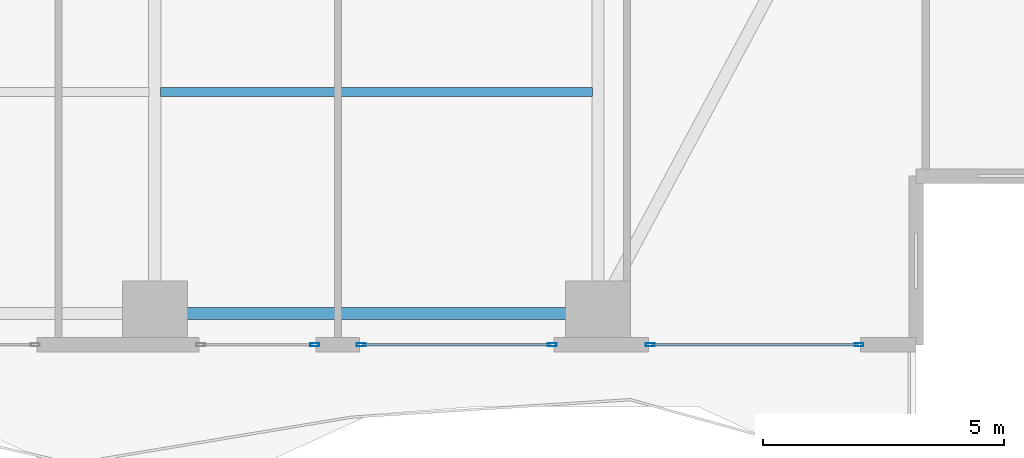
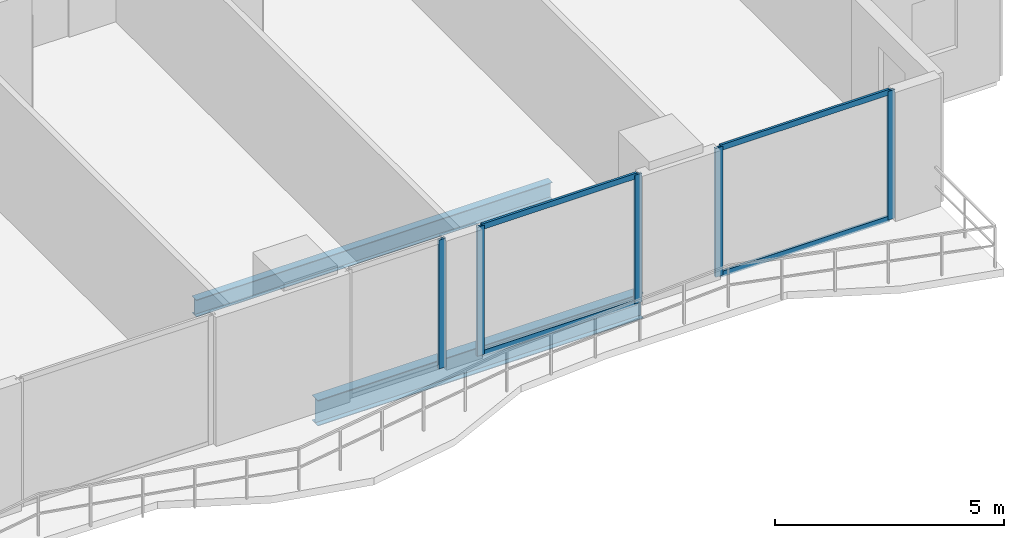
# One storey, part 9 of 29: 9 members, 2 beams, 3 elements without a shape of their own.
"""IFC4 building model written with IfcOpenShell, lengths in metres."""

from ifc_helpers import new_model, si_unit, direction, frame, origin, origin_2d, place, context, subcontext, project, spatial, hollow_rectangle, i_section, extrude, material, layer, layer_set, material_profile, profile_set, type_object, element, aggregate, save


model = new_model("IFC4")

# Units and contexts
model_context = context("Model", 3, precision=1e-05, world=origin(), true_north=direction((0.0, 1.0)))
body_context = subcontext(model_context, "Body", "Model", "MODEL_VIEW")
ifc_project = project(units=[si_unit("LENGTHUNIT", "METRE"), si_unit("AREAUNIT", "SQUARE_METRE"), si_unit("VOLUMEUNIT", "CUBIC_METRE"), si_unit("PLANEANGLEUNIT", "RADIAN"), si_unit("MASSUNIT", "GRAM", prefix="KILO")], contexts=[model_context])

# Site, building, storey
site_placement = place(None, origin())
site = spatial("IfcSite", under=ifc_project, at=site_placement, CompositionType="ELEMENT")
building_placement = place(site_placement, origin())
building = spatial("IfcBuilding", under=site, at=building_placement, Name="Zuhayl Quay Hotel", CompositionType="ELEMENT")
storey_placement = place(building_placement, frame((0.0, 0.0, 150.39990234375)))
storey = spatial("IfcBuildingStorey", under=building, at=storey_placement, Name="L38", CompositionType="ELEMENT", Elevation=150.39990234375)

# Beams
ifc_material_1 = material(Name="Steel ASTM A992 Grade 50", Category="steel")
ifc_material_profile_1 = material_profile(ifc_material_1, i_section(OverallWidth=0.25390625, OverallDepth=0.68310546875, WebThickness=0.012451171875, FlangeThickness=0.018798828125, at=origin_2d()), Name="W27X94")
ifc_profile_set_1 = profile_set([ifc_material_profile_1], Name="Steel ASTM A992 Grade 50")
beam_type_1 = type_object("IfcBeamType", Name="BM_B2_W27X94", PredefinedType="BEAM", material=ifc_profile_set_1)
beam_1_placement = place(storey_placement, frame((5.10009765625, -14.75, -0.5615234375), z_axis=(1.0, 0.0, 0.0), x_axis=(0.0, 1.0, 0.0)))
element("IfcBeam", 1, at=beam_1_placement, inside=storey, type_object=beam_type_1, Name="L38 Floor Beam RG_L38_03", PredefinedType="BEAM", context=body_context, shape_type="SweptSolid", body=[
    extrude(i_section(OverallWidth=0.25390625, OverallDepth=0.68310546875, WebThickness=0.012451171875, FlangeThickness=0.018798828125, at=origin_2d()), origin(), (0.0, 0.0, 1.0), 8.199951171875),
])
ifc_material_profile_2 = material_profile(ifc_material_1, i_section(OverallWidth=0.18994140625, OverallDepth=0.45703125, WebThickness=0.009033203125, FlangeThickness=0.014404296875, at=origin_2d()), Name="W18X50")
ifc_profile_set_2 = profile_set([ifc_material_profile_2], Name="Steel ASTM A992 Grade 50")
beam_type_2 = type_object("IfcBeamType", Name="BM_J2_W18X50", PredefinedType="JOIST", material=ifc_profile_set_2)
beam_2_placement = place(storey_placement, frame((4.718994140625, -10.14990234375, -0.448486328125), z_axis=(1.0, 0.0, 0.0), x_axis=(0.0, 1.0, 0.0)))
element("IfcBeam", 2, at=beam_2_placement, inside=storey, type_object=beam_type_2, Name="L38 Floor Beam FJ_L38_5_3", PredefinedType="JOIST", context=body_context, shape_type="SweptSolid", body=[
    extrude(i_section(OverallWidth=0.18994140625, OverallDepth=0.45703125, WebThickness=0.009033203125, FlangeThickness=0.014404296875, at=origin_2d()), origin(), (0.0, 0.0, 1.0), 8.9619140625),
])

# Curtain wall, members
ifc_material_2 = material(Name="Anodised Aluminium 6063-T6", Category="aluminium")
ifc_layer = layer(ifc_material_2, 0.179931640625, Name="Anodised Aluminium 6063-T6", Category="aluminium")
ifc_layer_set = layer_set([ifc_layer], Name="Anodised Aluminium 6063-T6")
curtain_wall_type = type_object("IfcCurtainWallType", Name="CW_SYS_Z2", PredefinedType="USERDEFINED", material=ifc_layer_set)
curtain_wall_1_placement = place(storey_placement, origin())
curtain_wall_1 = element("IfcCurtainWall", 3, at=curtain_wall_1_placement, inside=storey, type_object=curtain_wall_type, Name="L38 Curtain Wall ENV_L38_S_CW1", ObjectType="UNITISED CURTAIN WALL", PredefinedType="USERDEFINED")
ifc_material_3 = material(Name="Black-anodised aluminium 6063-T6", Category="aluminium")
ifc_material_profile_3 = material_profile(ifc_material_3, hollow_rectangle(XDim=0.06494140625, YDim=0.179931640625, WallThickness=0.00341796875, at=origin_2d()), Name="ALU180X65")
ifc_profile_set_3 = profile_set([ifc_material_profile_3], Name="Black-anodised aluminium 6063-T6")
member_type_1 = type_object("IfcMemberType", Name="MB_CW_MUL_180", PredefinedType="MULLION", material=ifc_profile_set_3)
member_1_placement = place(storey_placement, frame((19.217529296875, -15.39990234375, 0.0), z_axis=(0.0, 0.0, 1.0), x_axis=(0.0, -1.0, 0.0)))
member_1 = element("IfcMember", 4, at=member_1_placement, type_object=member_type_1, Name="CW-Z2 mullion 1", PredefinedType="MULLION", context=body_context, shape_type="SweptSolid", body=[
    extrude(hollow_rectangle(XDim=0.06494140625, YDim=0.179931640625, WallThickness=0.00341796875, at=origin_2d()), origin(), (0.0, 0.0, 1.0), 3.43017578125),
])
member_2_placement = place(storey_placement, frame((14.882568359375, -15.39990234375, 0.0), z_axis=(0.0, 0.0, 1.0), x_axis=(0.0, -1.0, 0.0)))
member_2 = element("IfcMember", 5, at=member_2_placement, type_object=member_type_1, Name="CW-Z2 mullion 2", PredefinedType="MULLION", context=body_context, shape_type="SweptSolid", body=[
    extrude(hollow_rectangle(XDim=0.06494140625, YDim=0.179931640625, WallThickness=0.00341796875, at=origin_2d()), origin(), (0.0, 0.0, 1.0), 3.43017578125),
])

curtain_wall_2_placement = place(storey_placement, origin())
curtain_wall_2 = element("IfcCurtainWall", 6, at=curtain_wall_2_placement, inside=storey, type_object=curtain_wall_type, Name="L38 Curtain Wall ENV_L38_S_CW2", ObjectType="UNITISED CURTAIN WALL", PredefinedType="USERDEFINED")
member_3_placement = place(storey_placement, frame((12.847412109375, -15.39990234375, 0.0), z_axis=(0.0, 0.0, 1.0), x_axis=(0.0, -1.0, 0.0)))
member_3 = element("IfcMember", 7, at=member_3_placement, type_object=member_type_1, Name="CW-Z2 mullion 1", PredefinedType="MULLION", context=body_context, shape_type="SweptSolid", body=[
    extrude(hollow_rectangle(XDim=0.06494140625, YDim=0.179931640625, WallThickness=0.00341796875, at=origin_2d()), origin(), (0.0, 0.0, 1.0), 3.43017578125),
])
member_4_placement = place(storey_placement, frame((8.882568359375, -15.39990234375, 0.0), z_axis=(0.0, 0.0, 1.0), x_axis=(0.0, -1.0, 0.0)))
member_4 = element("IfcMember", 8, at=member_4_placement, type_object=member_type_1, Name="CW-Z2 mullion 2", PredefinedType="MULLION", context=body_context, shape_type="SweptSolid", body=[
    extrude(hollow_rectangle(XDim=0.06494140625, YDim=0.179931640625, WallThickness=0.00341796875, at=origin_2d()), origin(), (0.0, 0.0, 1.0), 3.43017578125),
])

# Curtain wall, member
curtain_wall_3_placement = place(storey_placement, origin())
curtain_wall_3 = element("IfcCurtainWall", 9, at=curtain_wall_3_placement, inside=storey, type_object=curtain_wall_type, Name="L38 Curtain Wall ENV_L38_S_CW3", ObjectType="UNITISED CURTAIN WALL", PredefinedType="USERDEFINED")
member_5_placement = place(storey_placement, frame((7.91748046875, -15.39990234375, 0.0), z_axis=(0.0, 0.0, 1.0), x_axis=(0.0, -1.0, 0.0)))
member_5 = element("IfcMember", 10, at=member_5_placement, type_object=member_type_1, Name="CW-Z2 mullion 1", PredefinedType="MULLION", context=body_context, shape_type="SweptSolid", body=[
    extrude(hollow_rectangle(XDim=0.06494140625, YDim=0.179931640625, WallThickness=0.00341796875, at=origin_2d()), origin(), (0.0, 0.0, 1.0), 3.43017578125),
])
aggregate(curtain_wall_3, [member_5])

# Member
ifc_material_profile_4 = material_profile(ifc_material_3, hollow_rectangle(XDim=0.06005859375, YDim=0.14990234375, WallThickness=0.00341796875, at=origin_2d()), Name="ALU150X60")
ifc_profile_set_4 = profile_set([ifc_material_profile_4], Name="Black-anodised aluminium 6063-T6")
member_type_2 = type_object("IfcMemberType", Name="MB_CW_TRN_150", PredefinedType="USERDEFINED", material=ifc_profile_set_4)
member_6_placement = place(storey_placement, frame((19.18505859375, -15.39990234375, 0.030029296875), z_axis=(-1.0, 0.0, 0.0), x_axis=(0.0, -1.0, 0.0)))
member_6 = element("IfcMember", 11, at=member_6_placement, type_object=member_type_2, Name="CW-Z2 transom 1.1", ObjectType="TRANSOM", PredefinedType="USERDEFINED", context=body_context, shape_type="SweptSolid", body=[
    extrude(hollow_rectangle(XDim=0.06005859375, YDim=0.14990234375, WallThickness=0.00341796875, at=origin_2d()), origin(), (0.0, 0.0, 1.0), 4.27001953125),
])

member_7_placement = place(storey_placement, frame((19.18505859375, -15.39990234375, 3.400146484375), z_axis=(-1.0, 0.0, 0.0), x_axis=(0.0, -1.0, 0.0)))
member_7 = element("IfcMember", 12, at=member_7_placement, type_object=member_type_2, Name="CW-Z2 transom 1.2", ObjectType="TRANSOM", PredefinedType="USERDEFINED", context=body_context, shape_type="SweptSolid", body=[
    extrude(hollow_rectangle(XDim=0.06005859375, YDim=0.14990234375, WallThickness=0.00341796875, at=origin_2d()), origin(), (0.0, 0.0, 1.0), 4.27001953125),
])

aggregate(curtain_wall_1, [member_1, member_2, member_6, member_7])

member_8_placement = place(storey_placement, frame((12.81494140625, -15.39990234375, 0.030029296875), z_axis=(-1.0, 0.0, 0.0), x_axis=(0.0, -1.0, 0.0)))
member_8 = element("IfcMember", 13, at=member_8_placement, type_object=member_type_2, Name="CW-Z2 transom 1.1", ObjectType="TRANSOM", PredefinedType="USERDEFINED", context=body_context, shape_type="SweptSolid", body=[
    extrude(hollow_rectangle(XDim=0.06005859375, YDim=0.14990234375, WallThickness=0.00341796875, at=origin_2d()), origin(), (0.0, 0.0, 1.0), 3.89990234375),
])

member_9_placement = place(storey_placement, frame((12.81494140625, -15.39990234375, 3.400146484375), z_axis=(-1.0, 0.0, 0.0), x_axis=(0.0, -1.0, 0.0)))
member_9 = element("IfcMember", 14, at=member_9_placement, type_object=member_type_2, Name="CW-Z2 transom 1.2", ObjectType="TRANSOM", PredefinedType="USERDEFINED", context=body_context, shape_type="SweptSolid", body=[
    extrude(hollow_rectangle(XDim=0.06005859375, YDim=0.14990234375, WallThickness=0.00341796875, at=origin_2d()), origin(), (0.0, 0.0, 1.0), 3.89990234375),
])

aggregate(curtain_wall_2, [member_3, member_4, member_8, member_9])

save(model, "model.ifc")
